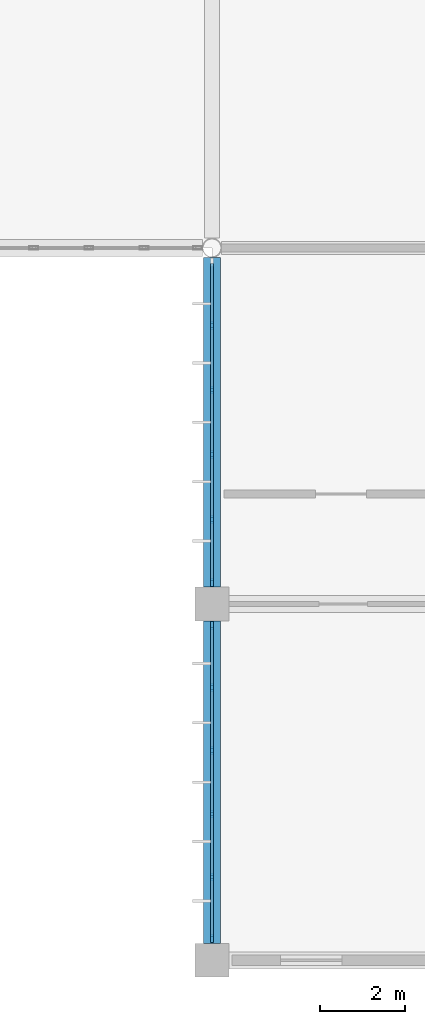
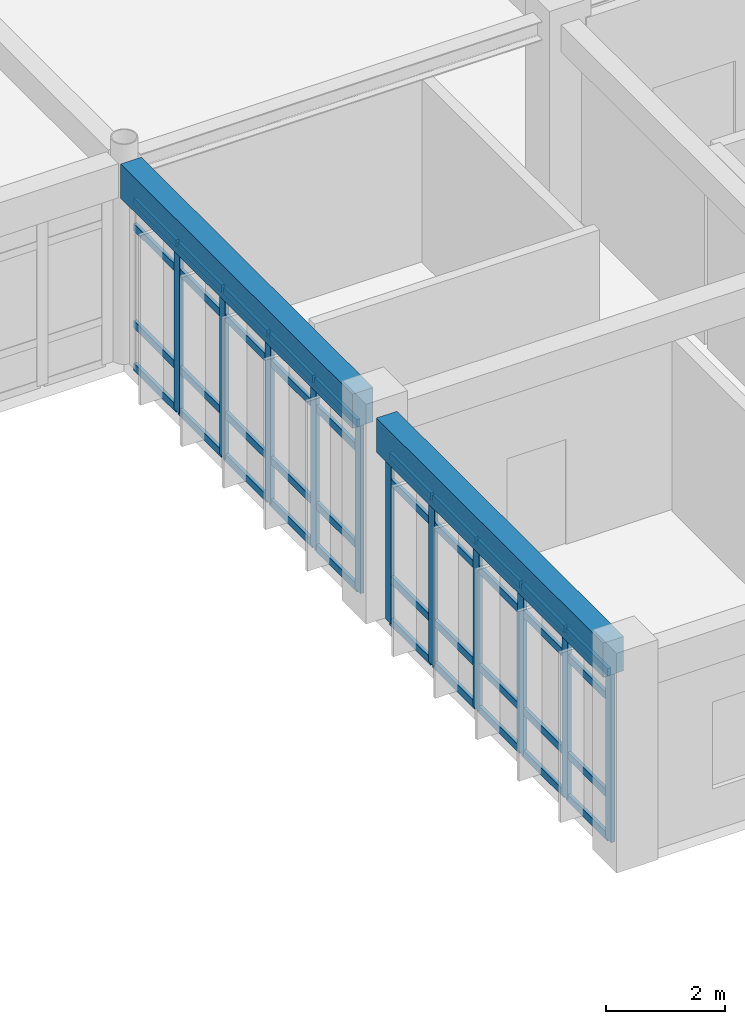
# One storey, part 21 of 144: 51 members, 2 beams, 2 elements without a shape of their own.
"""IFC4 building model written with IfcOpenShell, lengths in metres."""

from ifc_helpers import new_model, si_unit, direction, frame, origin, origin_2d, place, context, subcontext, project, spatial, rectangle, extrude, material, layer, layer_set, material_profile, profile_set, type_object, element, aggregate, save


model = new_model("IFC4")

# Units and contexts
model_context = context("Model", 3, precision=1e-05, world=origin(), true_north=direction((0.0, 1.0)))
body_context = subcontext(model_context, "Body", "Model", "MODEL_VIEW")
ifc_project = project(units=[si_unit("LENGTHUNIT", "METRE"), si_unit("AREAUNIT", "SQUARE_METRE"), si_unit("VOLUMEUNIT", "CUBIC_METRE"), si_unit("PLANEANGLEUNIT", "RADIAN"), si_unit("MASSUNIT", "GRAM", prefix="KILO")], contexts=[model_context])

# Site, building, storey
site_placement = place(None, origin())
site = spatial("IfcSite", under=ifc_project, at=site_placement, CompositionType="ELEMENT")
building_placement = place(site_placement, origin())
building = spatial("IfcBuilding", under=site, at=building_placement, Name="Bramfleet General Hospital", CompositionType="ELEMENT")
storey_placement = place(building_placement, frame((0.0, 0.0, 4.800048828125)))
storey = spatial("IfcBuildingStorey", under=building, at=storey_placement, Name="L01", CompositionType="ELEMENT", Elevation=4.800048828125)

# Beams
ifc_material_1 = material(Name="Concrete C35/45", Category="concrete")
ifc_material_profile_1 = material_profile(ifc_material_1, rectangle(XDim=0.39990234375, YDim=0.699951171875, at=origin_2d()), Name="RC SP 700x400")
ifc_profile_set_1 = profile_set([ifc_material_profile_1], Name="Concrete C35/45")
beam_type = type_object("IfcBeamType", Name="BM-SP700", PredefinedType="SPANDREL", material=ifc_profile_set_1)
beam_1_placement = place(storey_placement, frame((92.39990234375, 0.39990234375, 3.800048828125), z_axis=(0.0, 1.0, 0.0), x_axis=(-1.0, 0.0, 0.0)))
element("IfcBeam", 1, at=beam_1_placement, inside=storey, type_object=beam_type, Name="L01 Grid Beam Y 11-00", PredefinedType="SPANDREL", context=body_context, shape_type="SweptSolid", body=[
    extrude(rectangle(XDim=0.39990234375, YDim=0.699951171875, at=origin_2d()), origin(), (0.0, 0.0, 1.0), 7.60009765625),
])
beam_2_placement = place(storey_placement, frame((92.39990234375, 8.800048828125, 3.800048828125), z_axis=(0.0, 1.0, 0.0), x_axis=(-1.0, 0.0, 0.0)))
element("IfcBeam", 2, at=beam_2_placement, inside=storey, type_object=beam_type, Name="L01 Grid Beam Y 11-01", PredefinedType="SPANDREL", context=body_context, shape_type="SweptSolid", body=[
    extrude(rectangle(XDim=0.39990234375, YDim=0.699951171875, at=origin_2d()), origin(), (0.0, 0.0, 1.0), 7.771484375),
])

# Curtain wall, members
ifc_material_2 = material(Name="Anodised aluminium and low-E triple glazing", Category="aluminium")
ifc_layer_1 = layer(ifc_material_2, 0.179931640625, Name="CWT-CW-05")
ifc_layer_set_1 = layer_set([ifc_layer_1], Name="Anodised aluminium and low-E triple glazing")
curtain_wall_type_1 = type_object("IfcCurtainWallType", Name="CWT-CW-05", PredefinedType="USERDEFINED", material=ifc_layer_set_1)
curtain_wall_1_placement = place(storey_placement, origin())
curtain_wall_1 = element("IfcCurtainWall", 3, at=curtain_wall_1_placement, inside=storey, type_object=curtain_wall_type_1, Name="L01 Curtain Wall 77", ObjectType="Unitised curtain wall", PredefinedType="USERDEFINED")
ifc_material_3 = material(Name="Structural timber GL28h", Category="wood")
ifc_material_profile_2 = material_profile(ifc_material_3, rectangle(XDim=0.070068359375, YDim=0.18994140625, at=origin_2d()), Name="LARCH 190x70")
ifc_profile_set_2 = profile_set([ifc_material_profile_2], Name="Structural timber GL28h")
member_type_1 = type_object("IfcMemberType", Name="CWM-LARCH450", PredefinedType="MULLION", material=ifc_profile_set_2)
member_1_placement = place(storey_placement, frame((92.39990234375, 0.510009765625, 0.0), z_axis=(0.0, 0.0, 1.0), x_axis=(-1.0, 0.0, 0.0)))
member_1 = element("IfcMember", 4, at=member_1_placement, type_object=member_type_1, Name="CW-05 mullion 1", PredefinedType="MULLION", context=body_context, shape_type="SweptSolid", body=[
    extrude(rectangle(XDim=0.070068359375, YDim=0.18994140625, at=origin_2d()), origin(), (0.0, 0.0, 1.0), 3.43994140625),
])
member_2_placement = place(storey_placement, frame((92.39990234375, 1.965087890625, 0.0), z_axis=(0.0, 0.0, 1.0), x_axis=(-1.0, 0.0, 0.0)))
member_2 = element("IfcMember", 5, at=member_2_placement, type_object=member_type_1, Name="CW-05 mullion 2", PredefinedType="MULLION", context=body_context, shape_type="SweptSolid", body=[
    extrude(rectangle(XDim=0.070068359375, YDim=0.18994140625, at=origin_2d()), origin(), (0.0, 0.0, 1.0), 3.43994140625),
])
member_3_placement = place(storey_placement, frame((92.39990234375, 3.455078125, 0.0), z_axis=(0.0, 0.0, 1.0), x_axis=(-1.0, 0.0, 0.0)))
member_3 = element("IfcMember", 6, at=member_3_placement, type_object=member_type_1, Name="CW-05 mullion 3", PredefinedType="MULLION", context=body_context, shape_type="SweptSolid", body=[
    extrude(rectangle(XDim=0.070068359375, YDim=0.18994140625, at=origin_2d()), origin(), (0.0, 0.0, 1.0), 3.43994140625),
])
member_4_placement = place(storey_placement, frame((92.39990234375, 4.945068359375, 0.0), z_axis=(0.0, 0.0, 1.0), x_axis=(-1.0, 0.0, 0.0)))
member_4 = element("IfcMember", 7, at=member_4_placement, type_object=member_type_1, Name="CW-05 mullion 4", PredefinedType="MULLION", context=body_context, shape_type="SweptSolid", body=[
    extrude(rectangle(XDim=0.070068359375, YDim=0.18994140625, at=origin_2d()), origin(), (0.0, 0.0, 1.0), 3.43994140625),
])
member_5_placement = place(storey_placement, frame((92.39990234375, 6.43505859375, 0.0), z_axis=(0.0, 0.0, 1.0), x_axis=(-1.0, 0.0, 0.0)))
member_5 = element("IfcMember", 8, at=member_5_placement, type_object=member_type_1, Name="CW-05 mullion 5", PredefinedType="MULLION", context=body_context, shape_type="SweptSolid", body=[
    extrude(rectangle(XDim=0.070068359375, YDim=0.18994140625, at=origin_2d()), origin(), (0.0, 0.0, 1.0), 3.43994140625),
])
member_6_placement = place(storey_placement, frame((92.39990234375, 7.889892578125, 0.0), z_axis=(0.0, 0.0, 1.0), x_axis=(-1.0, 0.0, 0.0)))
member_6 = element("IfcMember", 9, at=member_6_placement, type_object=member_type_1, Name="CW-05 mullion 6", PredefinedType="MULLION", context=body_context, shape_type="SweptSolid", body=[
    extrude(rectangle(XDim=0.070068359375, YDim=0.18994140625, at=origin_2d()), origin(), (0.0, 0.0, 1.0), 3.43994140625),
])

ifc_layer_2 = layer(ifc_material_2, 0.179931640625, Name="CWT-CW-06")
ifc_layer_set_2 = layer_set([ifc_layer_2], Name="Anodised aluminium and low-E triple glazing")
curtain_wall_type_2 = type_object("IfcCurtainWallType", Name="CWT-CW-06", PredefinedType="USERDEFINED", material=ifc_layer_set_2)
curtain_wall_2_placement = place(storey_placement, origin())
curtain_wall_2 = element("IfcCurtainWall", 10, at=curtain_wall_2_placement, inside=storey, type_object=curtain_wall_type_2, Name="L01 Curtain Wall 78", ObjectType="Unitised curtain wall", PredefinedType="USERDEFINED")
member_7_placement = place(storey_placement, frame((92.39990234375, 8.909912109375, 0.0), z_axis=(0.0, 0.0, 1.0), x_axis=(-1.0, 0.0, 0.0)))
member_7 = element("IfcMember", 11, at=member_7_placement, type_object=member_type_1, Name="CW-06 mullion 1", PredefinedType="MULLION", context=body_context, shape_type="SweptSolid", body=[
    extrude(rectangle(XDim=0.070068359375, YDim=0.18994140625, at=origin_2d()), origin(), (0.0, 0.0, 1.0), 3.43994140625),
])
member_8_placement = place(storey_placement, frame((92.39990234375, 10.3994140625, 0.0), z_axis=(0.0, 0.0, 1.0), x_axis=(-1.0, 0.0, 0.0)))
member_8 = element("IfcMember", 12, at=member_8_placement, type_object=member_type_1, Name="CW-06 mullion 2", PredefinedType="MULLION", context=body_context, shape_type="SweptSolid", body=[
    extrude(rectangle(XDim=0.070068359375, YDim=0.18994140625, at=origin_2d()), origin(), (0.0, 0.0, 1.0), 3.43994140625),
])
member_9_placement = place(storey_placement, frame((92.39990234375, 11.923828125, 0.0), z_axis=(0.0, 0.0, 1.0), x_axis=(-1.0, 0.0, 0.0)))
member_9 = element("IfcMember", 13, at=member_9_placement, type_object=member_type_1, Name="CW-06 mullion 3", PredefinedType="MULLION", context=body_context, shape_type="SweptSolid", body=[
    extrude(rectangle(XDim=0.070068359375, YDim=0.18994140625, at=origin_2d()), origin(), (0.0, 0.0, 1.0), 3.43994140625),
])
member_10_placement = place(storey_placement, frame((92.39990234375, 13.4482421875, 0.0), z_axis=(0.0, 0.0, 1.0), x_axis=(-1.0, 0.0, 0.0)))
member_10 = element("IfcMember", 14, at=member_10_placement, type_object=member_type_1, Name="CW-06 mullion 4", PredefinedType="MULLION", context=body_context, shape_type="SweptSolid", body=[
    extrude(rectangle(XDim=0.070068359375, YDim=0.18994140625, at=origin_2d()), origin(), (0.0, 0.0, 1.0), 3.43994140625),
])
member_11_placement = place(storey_placement, frame((92.39990234375, 14.97265625, 0.0), z_axis=(0.0, 0.0, 1.0), x_axis=(-1.0, 0.0, 0.0)))
member_11 = element("IfcMember", 15, at=member_11_placement, type_object=member_type_1, Name="CW-06 mullion 5", PredefinedType="MULLION", context=body_context, shape_type="SweptSolid", body=[
    extrude(rectangle(XDim=0.070068359375, YDim=0.18994140625, at=origin_2d()), origin(), (0.0, 0.0, 1.0), 3.43994140625),
])

# Member
ifc_material_profile_3 = material_profile(ifc_material_3, rectangle(XDim=0.06494140625, YDim=0.14990234375, at=origin_2d()), Name="LARCH 150x65")
ifc_profile_set_3 = profile_set([ifc_material_profile_3], Name="Structural timber GL28h")
member_type_2 = type_object("IfcMemberType", Name="CWT-LARCH220", PredefinedType="USERDEFINED", material=ifc_profile_set_3)
member_12_placement = place(storey_placement, frame((92.39990234375, 0.544921875, 0.032470703125), z_axis=(0.0, 1.0, 0.0), x_axis=(-1.0, 0.0, 0.0)))
member_12 = element("IfcMember", 16, at=member_12_placement, type_object=member_type_2, Name="CW-05 transom 1.1", ObjectType="TRANSOM", PredefinedType="USERDEFINED", context=body_context, shape_type="SweptSolid", body=[
    extrude(rectangle(XDim=0.06494140625, YDim=0.14990234375, at=origin_2d()), origin(), (0.0, 0.0, 1.0), 1.385009765625),
])

member_13_placement = place(storey_placement, frame((92.39990234375, 0.544921875, 0.89990234375), z_axis=(0.0, 1.0, 0.0), x_axis=(-1.0, 0.0, 0.0)))
member_13 = element("IfcMember", 17, at=member_13_placement, type_object=member_type_2, Name="CW-05 transom 1.2", ObjectType="TRANSOM", PredefinedType="USERDEFINED", context=body_context, shape_type="SweptSolid", body=[
    extrude(rectangle(XDim=0.06494140625, YDim=0.14990234375, at=origin_2d()), origin(), (0.0, 0.0, 1.0), 1.385009765625),
])

member_14_placement = place(storey_placement, frame((92.39990234375, 0.544921875, 2.889892578125), z_axis=(0.0, 1.0, 0.0), x_axis=(-1.0, 0.0, 0.0)))
member_14 = element("IfcMember", 18, at=member_14_placement, type_object=member_type_2, Name="CW-05 transom 1.3", ObjectType="TRANSOM", PredefinedType="USERDEFINED", context=body_context, shape_type="SweptSolid", body=[
    extrude(rectangle(XDim=0.06494140625, YDim=0.14990234375, at=origin_2d()), origin(), (0.0, 0.0, 1.0), 1.385009765625),
])

member_15_placement = place(storey_placement, frame((92.39990234375, 0.544921875, 3.407470703125), z_axis=(0.0, 1.0, 0.0), x_axis=(-1.0, 0.0, 0.0)))
member_15 = element("IfcMember", 19, at=member_15_placement, type_object=member_type_2, Name="CW-05 transom 1.4", ObjectType="TRANSOM", PredefinedType="USERDEFINED", context=body_context, shape_type="SweptSolid", body=[
    extrude(rectangle(XDim=0.06494140625, YDim=0.14990234375, at=origin_2d()), origin(), (0.0, 0.0, 1.0), 1.385009765625),
])

member_16_placement = place(storey_placement, frame((92.39990234375, 2.0, 0.032470703125), z_axis=(0.0, 1.0, 0.0), x_axis=(-1.0, 0.0, 0.0)))
member_16 = element("IfcMember", 20, at=member_16_placement, type_object=member_type_2, Name="CW-05 transom 2.1", ObjectType="TRANSOM", PredefinedType="USERDEFINED", context=body_context, shape_type="SweptSolid", body=[
    extrude(rectangle(XDim=0.06494140625, YDim=0.14990234375, at=origin_2d()), origin(), (0.0, 0.0, 1.0), 1.419921875),
])

member_17_placement = place(storey_placement, frame((92.39990234375, 2.0, 0.89990234375), z_axis=(0.0, 1.0, 0.0), x_axis=(-1.0, 0.0, 0.0)))
member_17 = element("IfcMember", 21, at=member_17_placement, type_object=member_type_2, Name="CW-05 transom 2.2", ObjectType="TRANSOM", PredefinedType="USERDEFINED", context=body_context, shape_type="SweptSolid", body=[
    extrude(rectangle(XDim=0.06494140625, YDim=0.14990234375, at=origin_2d()), origin(), (0.0, 0.0, 1.0), 1.419921875),
])

member_18_placement = place(storey_placement, frame((92.39990234375, 2.0, 2.889892578125), z_axis=(0.0, 1.0, 0.0), x_axis=(-1.0, 0.0, 0.0)))
member_18 = element("IfcMember", 22, at=member_18_placement, type_object=member_type_2, Name="CW-05 transom 2.3", ObjectType="TRANSOM", PredefinedType="USERDEFINED", context=body_context, shape_type="SweptSolid", body=[
    extrude(rectangle(XDim=0.06494140625, YDim=0.14990234375, at=origin_2d()), origin(), (0.0, 0.0, 1.0), 1.419921875),
])

member_19_placement = place(storey_placement, frame((92.39990234375, 2.0, 3.407470703125), z_axis=(0.0, 1.0, 0.0), x_axis=(-1.0, 0.0, 0.0)))
member_19 = element("IfcMember", 23, at=member_19_placement, type_object=member_type_2, Name="CW-05 transom 2.4", ObjectType="TRANSOM", PredefinedType="USERDEFINED", context=body_context, shape_type="SweptSolid", body=[
    extrude(rectangle(XDim=0.06494140625, YDim=0.14990234375, at=origin_2d()), origin(), (0.0, 0.0, 1.0), 1.419921875),
])

member_20_placement = place(storey_placement, frame((92.39990234375, 3.489990234375, 0.032470703125), z_axis=(0.0, 1.0, 0.0), x_axis=(-1.0, 0.0, 0.0)))
member_20 = element("IfcMember", 24, at=member_20_placement, type_object=member_type_2, Name="CW-05 transom 3.1", ObjectType="TRANSOM", PredefinedType="USERDEFINED", context=body_context, shape_type="SweptSolid", body=[
    extrude(rectangle(XDim=0.06494140625, YDim=0.14990234375, at=origin_2d()), origin(), (0.0, 0.0, 1.0), 1.419921875),
])

member_21_placement = place(storey_placement, frame((92.39990234375, 3.489990234375, 0.89990234375), z_axis=(0.0, 1.0, 0.0), x_axis=(-1.0, 0.0, 0.0)))
member_21 = element("IfcMember", 25, at=member_21_placement, type_object=member_type_2, Name="CW-05 transom 3.2", ObjectType="TRANSOM", PredefinedType="USERDEFINED", context=body_context, shape_type="SweptSolid", body=[
    extrude(rectangle(XDim=0.06494140625, YDim=0.14990234375, at=origin_2d()), origin(), (0.0, 0.0, 1.0), 1.419921875),
])

member_22_placement = place(storey_placement, frame((92.39990234375, 3.489990234375, 2.889892578125), z_axis=(0.0, 1.0, 0.0), x_axis=(-1.0, 0.0, 0.0)))
member_22 = element("IfcMember", 26, at=member_22_placement, type_object=member_type_2, Name="CW-05 transom 3.3", ObjectType="TRANSOM", PredefinedType="USERDEFINED", context=body_context, shape_type="SweptSolid", body=[
    extrude(rectangle(XDim=0.06494140625, YDim=0.14990234375, at=origin_2d()), origin(), (0.0, 0.0, 1.0), 1.419921875),
])

member_23_placement = place(storey_placement, frame((92.39990234375, 3.489990234375, 3.407470703125), z_axis=(0.0, 1.0, 0.0), x_axis=(-1.0, 0.0, 0.0)))
member_23 = element("IfcMember", 27, at=member_23_placement, type_object=member_type_2, Name="CW-05 transom 3.4", ObjectType="TRANSOM", PredefinedType="USERDEFINED", context=body_context, shape_type="SweptSolid", body=[
    extrude(rectangle(XDim=0.06494140625, YDim=0.14990234375, at=origin_2d()), origin(), (0.0, 0.0, 1.0), 1.419921875),
])

member_24_placement = place(storey_placement, frame((92.39990234375, 4.97998046875, 0.032470703125), z_axis=(0.0, 1.0, 0.0), x_axis=(-1.0, 0.0, 0.0)))
member_24 = element("IfcMember", 28, at=member_24_placement, type_object=member_type_2, Name="CW-05 transom 4.1", ObjectType="TRANSOM", PredefinedType="USERDEFINED", context=body_context, shape_type="SweptSolid", body=[
    extrude(rectangle(XDim=0.06494140625, YDim=0.14990234375, at=origin_2d()), origin(), (0.0, 0.0, 1.0), 1.419921875),
])

member_25_placement = place(storey_placement, frame((92.39990234375, 4.97998046875, 0.89990234375), z_axis=(0.0, 1.0, 0.0), x_axis=(-1.0, 0.0, 0.0)))
member_25 = element("IfcMember", 29, at=member_25_placement, type_object=member_type_2, Name="CW-05 transom 4.2", ObjectType="TRANSOM", PredefinedType="USERDEFINED", context=body_context, shape_type="SweptSolid", body=[
    extrude(rectangle(XDim=0.06494140625, YDim=0.14990234375, at=origin_2d()), origin(), (0.0, 0.0, 1.0), 1.419921875),
])

member_26_placement = place(storey_placement, frame((92.39990234375, 4.97998046875, 2.889892578125), z_axis=(0.0, 1.0, 0.0), x_axis=(-1.0, 0.0, 0.0)))
member_26 = element("IfcMember", 30, at=member_26_placement, type_object=member_type_2, Name="CW-05 transom 4.3", ObjectType="TRANSOM", PredefinedType="USERDEFINED", context=body_context, shape_type="SweptSolid", body=[
    extrude(rectangle(XDim=0.06494140625, YDim=0.14990234375, at=origin_2d()), origin(), (0.0, 0.0, 1.0), 1.419921875),
])

member_27_placement = place(storey_placement, frame((92.39990234375, 4.97998046875, 3.407470703125), z_axis=(0.0, 1.0, 0.0), x_axis=(-1.0, 0.0, 0.0)))
member_27 = element("IfcMember", 31, at=member_27_placement, type_object=member_type_2, Name="CW-05 transom 4.4", ObjectType="TRANSOM", PredefinedType="USERDEFINED", context=body_context, shape_type="SweptSolid", body=[
    extrude(rectangle(XDim=0.06494140625, YDim=0.14990234375, at=origin_2d()), origin(), (0.0, 0.0, 1.0), 1.419921875),
])

member_28_placement = place(storey_placement, frame((92.39990234375, 6.469970703125, 0.032470703125), z_axis=(0.0, 1.0, 0.0), x_axis=(-1.0, 0.0, 0.0)))
member_28 = element("IfcMember", 32, at=member_28_placement, type_object=member_type_2, Name="CW-05 transom 5.1", ObjectType="TRANSOM", PredefinedType="USERDEFINED", context=body_context, shape_type="SweptSolid", body=[
    extrude(rectangle(XDim=0.06494140625, YDim=0.14990234375, at=origin_2d()), origin(), (0.0, 0.0, 1.0), 1.385009765625),
])

member_29_placement = place(storey_placement, frame((92.39990234375, 6.469970703125, 0.89990234375), z_axis=(0.0, 1.0, 0.0), x_axis=(-1.0, 0.0, 0.0)))
member_29 = element("IfcMember", 33, at=member_29_placement, type_object=member_type_2, Name="CW-05 transom 5.2", ObjectType="TRANSOM", PredefinedType="USERDEFINED", context=body_context, shape_type="SweptSolid", body=[
    extrude(rectangle(XDim=0.06494140625, YDim=0.14990234375, at=origin_2d()), origin(), (0.0, 0.0, 1.0), 1.385009765625),
])

member_30_placement = place(storey_placement, frame((92.39990234375, 6.469970703125, 2.889892578125), z_axis=(0.0, 1.0, 0.0), x_axis=(-1.0, 0.0, 0.0)))
member_30 = element("IfcMember", 34, at=member_30_placement, type_object=member_type_2, Name="CW-05 transom 5.3", ObjectType="TRANSOM", PredefinedType="USERDEFINED", context=body_context, shape_type="SweptSolid", body=[
    extrude(rectangle(XDim=0.06494140625, YDim=0.14990234375, at=origin_2d()), origin(), (0.0, 0.0, 1.0), 1.385009765625),
])

member_31_placement = place(storey_placement, frame((92.39990234375, 6.469970703125, 3.407470703125), z_axis=(0.0, 1.0, 0.0), x_axis=(-1.0, 0.0, 0.0)))
member_31 = element("IfcMember", 35, at=member_31_placement, type_object=member_type_2, Name="CW-05 transom 5.4", ObjectType="TRANSOM", PredefinedType="USERDEFINED", context=body_context, shape_type="SweptSolid", body=[
    extrude(rectangle(XDim=0.06494140625, YDim=0.14990234375, at=origin_2d()), origin(), (0.0, 0.0, 1.0), 1.385009765625),
])

aggregate(curtain_wall_1, [member_1, member_2, member_3, member_4, member_5, member_6, member_12, member_13, member_14, member_15, member_16, member_17, member_18, member_19, member_20, member_21, member_22, member_23, member_24, member_25, member_26, member_27, member_28, member_29, member_30, member_31])

member_32_placement = place(storey_placement, frame((92.39990234375, 8.945068359375, 0.032470703125), z_axis=(0.0, 1.0, 0.0), x_axis=(-1.0, 0.0, 0.0)))
member_32 = element("IfcMember", 36, at=member_32_placement, type_object=member_type_2, Name="CW-06 transom 1.1", ObjectType="TRANSOM", PredefinedType="USERDEFINED", context=body_context, shape_type="SweptSolid", body=[
    extrude(rectangle(XDim=0.06494140625, YDim=0.14990234375, at=origin_2d()), origin(), (0.0, 0.0, 1.0), 1.41943359375),
])

member_33_placement = place(storey_placement, frame((92.39990234375, 8.945068359375, 0.89990234375), z_axis=(0.0, 1.0, 0.0), x_axis=(-1.0, 0.0, 0.0)))
member_33 = element("IfcMember", 37, at=member_33_placement, type_object=member_type_2, Name="CW-06 transom 1.2", ObjectType="TRANSOM", PredefinedType="USERDEFINED", context=body_context, shape_type="SweptSolid", body=[
    extrude(rectangle(XDim=0.06494140625, YDim=0.14990234375, at=origin_2d()), origin(), (0.0, 0.0, 1.0), 1.41943359375),
])

member_34_placement = place(storey_placement, frame((92.39990234375, 8.945068359375, 2.889892578125), z_axis=(0.0, 1.0, 0.0), x_axis=(-1.0, 0.0, 0.0)))
member_34 = element("IfcMember", 38, at=member_34_placement, type_object=member_type_2, Name="CW-06 transom 1.3", ObjectType="TRANSOM", PredefinedType="USERDEFINED", context=body_context, shape_type="SweptSolid", body=[
    extrude(rectangle(XDim=0.06494140625, YDim=0.14990234375, at=origin_2d()), origin(), (0.0, 0.0, 1.0), 1.41943359375),
])

member_35_placement = place(storey_placement, frame((92.39990234375, 8.945068359375, 3.407470703125), z_axis=(0.0, 1.0, 0.0), x_axis=(-1.0, 0.0, 0.0)))
member_35 = element("IfcMember", 39, at=member_35_placement, type_object=member_type_2, Name="CW-06 transom 1.4", ObjectType="TRANSOM", PredefinedType="USERDEFINED", context=body_context, shape_type="SweptSolid", body=[
    extrude(rectangle(XDim=0.06494140625, YDim=0.14990234375, at=origin_2d()), origin(), (0.0, 0.0, 1.0), 1.41943359375),
])

member_36_placement = place(storey_placement, frame((92.39990234375, 10.434326171875, 0.032470703125), z_axis=(0.0, 1.0, 0.0), x_axis=(-1.0, 0.0, 0.0)))
member_36 = element("IfcMember", 40, at=member_36_placement, type_object=member_type_2, Name="CW-06 transom 2.1", ObjectType="TRANSOM", PredefinedType="USERDEFINED", context=body_context, shape_type="SweptSolid", body=[
    extrude(rectangle(XDim=0.06494140625, YDim=0.14990234375, at=origin_2d()), origin(), (0.0, 0.0, 1.0), 1.45458984375),
])

member_37_placement = place(storey_placement, frame((92.39990234375, 10.434326171875, 0.89990234375), z_axis=(0.0, 1.0, 0.0), x_axis=(-1.0, 0.0, 0.0)))
member_37 = element("IfcMember", 41, at=member_37_placement, type_object=member_type_2, Name="CW-06 transom 2.2", ObjectType="TRANSOM", PredefinedType="USERDEFINED", context=body_context, shape_type="SweptSolid", body=[
    extrude(rectangle(XDim=0.06494140625, YDim=0.14990234375, at=origin_2d()), origin(), (0.0, 0.0, 1.0), 1.45458984375),
])

member_38_placement = place(storey_placement, frame((92.39990234375, 10.434326171875, 2.889892578125), z_axis=(0.0, 1.0, 0.0), x_axis=(-1.0, 0.0, 0.0)))
member_38 = element("IfcMember", 42, at=member_38_placement, type_object=member_type_2, Name="CW-06 transom 2.3", ObjectType="TRANSOM", PredefinedType="USERDEFINED", context=body_context, shape_type="SweptSolid", body=[
    extrude(rectangle(XDim=0.06494140625, YDim=0.14990234375, at=origin_2d()), origin(), (0.0, 0.0, 1.0), 1.45458984375),
])

member_39_placement = place(storey_placement, frame((92.39990234375, 10.434326171875, 3.407470703125), z_axis=(0.0, 1.0, 0.0), x_axis=(-1.0, 0.0, 0.0)))
member_39 = element("IfcMember", 43, at=member_39_placement, type_object=member_type_2, Name="CW-06 transom 2.4", ObjectType="TRANSOM", PredefinedType="USERDEFINED", context=body_context, shape_type="SweptSolid", body=[
    extrude(rectangle(XDim=0.06494140625, YDim=0.14990234375, at=origin_2d()), origin(), (0.0, 0.0, 1.0), 1.45458984375),
])

member_40_placement = place(storey_placement, frame((92.39990234375, 11.958740234375, 0.032470703125), z_axis=(0.0, 1.0, 0.0), x_axis=(-1.0, 0.0, 0.0)))
member_40 = element("IfcMember", 44, at=member_40_placement, type_object=member_type_2, Name="CW-06 transom 3.1", ObjectType="TRANSOM", PredefinedType="USERDEFINED", context=body_context, shape_type="SweptSolid", body=[
    extrude(rectangle(XDim=0.06494140625, YDim=0.14990234375, at=origin_2d()), origin(), (0.0, 0.0, 1.0), 1.454345703125),
])

member_41_placement = place(storey_placement, frame((92.39990234375, 11.958740234375, 0.89990234375), z_axis=(0.0, 1.0, 0.0), x_axis=(-1.0, 0.0, 0.0)))
member_41 = element("IfcMember", 45, at=member_41_placement, type_object=member_type_2, Name="CW-06 transom 3.2", ObjectType="TRANSOM", PredefinedType="USERDEFINED", context=body_context, shape_type="SweptSolid", body=[
    extrude(rectangle(XDim=0.06494140625, YDim=0.14990234375, at=origin_2d()), origin(), (0.0, 0.0, 1.0), 1.454345703125),
])

member_42_placement = place(storey_placement, frame((92.39990234375, 11.958740234375, 2.889892578125), z_axis=(0.0, 1.0, 0.0), x_axis=(-1.0, 0.0, 0.0)))
member_42 = element("IfcMember", 46, at=member_42_placement, type_object=member_type_2, Name="CW-06 transom 3.3", ObjectType="TRANSOM", PredefinedType="USERDEFINED", context=body_context, shape_type="SweptSolid", body=[
    extrude(rectangle(XDim=0.06494140625, YDim=0.14990234375, at=origin_2d()), origin(), (0.0, 0.0, 1.0), 1.454345703125),
])

member_43_placement = place(storey_placement, frame((92.39990234375, 11.958740234375, 3.407470703125), z_axis=(0.0, 1.0, 0.0), x_axis=(-1.0, 0.0, 0.0)))
member_43 = element("IfcMember", 47, at=member_43_placement, type_object=member_type_2, Name="CW-06 transom 3.4", ObjectType="TRANSOM", PredefinedType="USERDEFINED", context=body_context, shape_type="SweptSolid", body=[
    extrude(rectangle(XDim=0.06494140625, YDim=0.14990234375, at=origin_2d()), origin(), (0.0, 0.0, 1.0), 1.454345703125),
])

member_44_placement = place(storey_placement, frame((92.39990234375, 13.483154296875, 0.032470703125), z_axis=(0.0, 1.0, 0.0), x_axis=(-1.0, 0.0, 0.0)))
member_44 = element("IfcMember", 48, at=member_44_placement, type_object=member_type_2, Name="CW-06 transom 4.1", ObjectType="TRANSOM", PredefinedType="USERDEFINED", context=body_context, shape_type="SweptSolid", body=[
    extrude(rectangle(XDim=0.06494140625, YDim=0.14990234375, at=origin_2d()), origin(), (0.0, 0.0, 1.0), 1.454345703125),
])

member_45_placement = place(storey_placement, frame((92.39990234375, 13.483154296875, 0.89990234375), z_axis=(0.0, 1.0, 0.0), x_axis=(-1.0, 0.0, 0.0)))
member_45 = element("IfcMember", 49, at=member_45_placement, type_object=member_type_2, Name="CW-06 transom 4.2", ObjectType="TRANSOM", PredefinedType="USERDEFINED", context=body_context, shape_type="SweptSolid", body=[
    extrude(rectangle(XDim=0.06494140625, YDim=0.14990234375, at=origin_2d()), origin(), (0.0, 0.0, 1.0), 1.454345703125),
])

member_46_placement = place(storey_placement, frame((92.39990234375, 13.483154296875, 2.889892578125), z_axis=(0.0, 1.0, 0.0), x_axis=(-1.0, 0.0, 0.0)))
member_46 = element("IfcMember", 50, at=member_46_placement, type_object=member_type_2, Name="CW-06 transom 4.3", ObjectType="TRANSOM", PredefinedType="USERDEFINED", context=body_context, shape_type="SweptSolid", body=[
    extrude(rectangle(XDim=0.06494140625, YDim=0.14990234375, at=origin_2d()), origin(), (0.0, 0.0, 1.0), 1.454345703125),
])

member_47_placement = place(storey_placement, frame((92.39990234375, 13.483154296875, 3.407470703125), z_axis=(0.0, 1.0, 0.0), x_axis=(-1.0, 0.0, 0.0)))
member_47 = element("IfcMember", 51, at=member_47_placement, type_object=member_type_2, Name="CW-06 transom 4.4", ObjectType="TRANSOM", PredefinedType="USERDEFINED", context=body_context, shape_type="SweptSolid", body=[
    extrude(rectangle(XDim=0.06494140625, YDim=0.14990234375, at=origin_2d()), origin(), (0.0, 0.0, 1.0), 1.454345703125),
])

member_48_placement = place(storey_placement, frame((92.39990234375, 15.007568359375, 0.032470703125), z_axis=(0.0, 1.0, 0.0), x_axis=(-1.0, 0.0, 0.0)))
member_48 = element("IfcMember", 52, at=member_48_placement, type_object=member_type_2, Name="CW-06 transom 5.1", ObjectType="TRANSOM", PredefinedType="USERDEFINED", context=body_context, shape_type="SweptSolid", body=[
    extrude(rectangle(XDim=0.06494140625, YDim=0.14990234375, at=origin_2d()), origin(), (0.0, 0.0, 1.0), 1.41943359375),
])

member_49_placement = place(storey_placement, frame((92.39990234375, 15.007568359375, 0.89990234375), z_axis=(0.0, 1.0, 0.0), x_axis=(-1.0, 0.0, 0.0)))
member_49 = element("IfcMember", 53, at=member_49_placement, type_object=member_type_2, Name="CW-06 transom 5.2", ObjectType="TRANSOM", PredefinedType="USERDEFINED", context=body_context, shape_type="SweptSolid", body=[
    extrude(rectangle(XDim=0.06494140625, YDim=0.14990234375, at=origin_2d()), origin(), (0.0, 0.0, 1.0), 1.41943359375),
])

member_50_placement = place(storey_placement, frame((92.39990234375, 15.007568359375, 2.889892578125), z_axis=(0.0, 1.0, 0.0), x_axis=(-1.0, 0.0, 0.0)))
member_50 = element("IfcMember", 54, at=member_50_placement, type_object=member_type_2, Name="CW-06 transom 5.3", ObjectType="TRANSOM", PredefinedType="USERDEFINED", context=body_context, shape_type="SweptSolid", body=[
    extrude(rectangle(XDim=0.06494140625, YDim=0.14990234375, at=origin_2d()), origin(), (0.0, 0.0, 1.0), 1.41943359375),
])

member_51_placement = place(storey_placement, frame((92.39990234375, 15.007568359375, 3.407470703125), z_axis=(0.0, 1.0, 0.0), x_axis=(-1.0, 0.0, 0.0)))
member_51 = element("IfcMember", 55, at=member_51_placement, type_object=member_type_2, Name="CW-06 transom 5.4", ObjectType="TRANSOM", PredefinedType="USERDEFINED", context=body_context, shape_type="SweptSolid", body=[
    extrude(rectangle(XDim=0.06494140625, YDim=0.14990234375, at=origin_2d()), origin(), (0.0, 0.0, 1.0), 1.41943359375),
])

aggregate(curtain_wall_2, [member_7, member_8, member_9, member_10, member_11, member_32, member_33, member_34, member_35, member_36, member_37, member_38, member_39, member_40, member_41, member_42, member_43, member_44, member_45, member_46, member_47, member_48, member_49, member_50, member_51])

save(model, "model.ifc")
